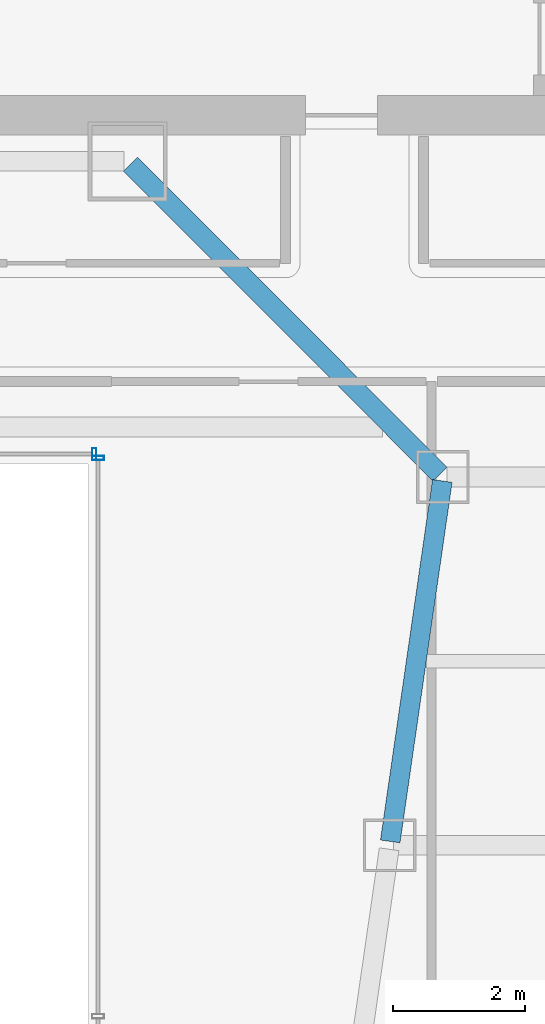
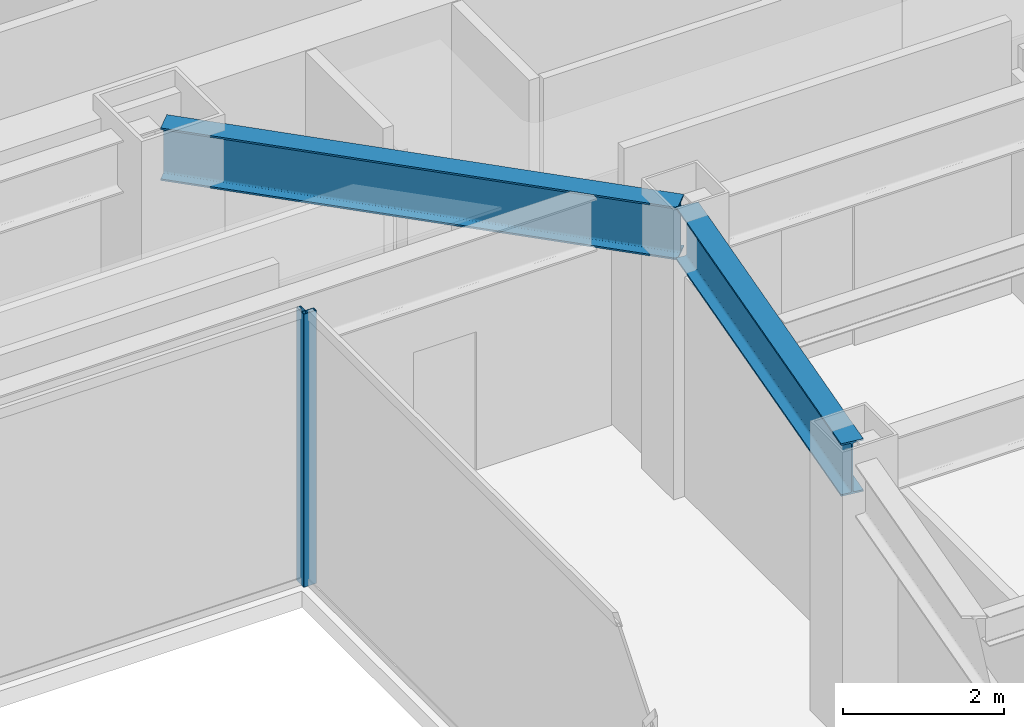
# One storey, part 29 of 49: 2 beams, 2 members, 2 elements without a shape of their own.
"""IFC4 building model written with IfcOpenShell, lengths in metres."""

import ifcopenshell
import ifcopenshell.guid

model = None  # the IFC model being written
_history = None  # IfcOwnerHistory: only IFC2X3 demands one
_inside = {}  # id of a spatial element -> (the spatial element, [elements in it])
_under = {}  # id of a project, library or spatial element -> (it, [spatial elements below it])
_declared = {}  # id of a project -> (the project, [libraries it declares])
_typed = {}  # id of a type object -> (the type object, [elements of that type])
_made_of = {}  # id of a material, layer set ... -> (it, [elements and type objects made of it])


def new_model(schema):
    """Start an empty IFC model of exactly this schema.

    Asked for "IFC4X3", IfcOpenShell would pick the latest addendum, in which some entities
    have other attributes; the version numbers below select the first issue.
    IFC2X3 requires an IfcOwnerHistory on every rooted entity: one is made here for all.
    """
    global model, _history
    if schema == "IFC4X3":
        model = ifcopenshell.file(schema_version=(4, 3, 0, 0))
    else:
        model = ifcopenshell.file(schema=schema)
    _inside.clear()
    _under.clear()
    _declared.clear()
    _typed.clear()
    _made_of.clear()
    _history = None
    if model.schema == "IFC2X3":
        org = make("IfcOrganization", Name="unknown")
        user = make(
            "IfcPersonAndOrganization",
            ThePerson=make("IfcPerson", FamilyName="unknown"),
            TheOrganization=org,
        )
        app = make(
            "IfcApplication",
            ApplicationDeveloper=org,
            Version="unknown",
            ApplicationFullName="unknown",
            ApplicationIdentifier="unknown",
        )
        _history = make(
            "IfcOwnerHistory",
            OwningUser=user,
            OwningApplication=app,
            ChangeAction="ADDED",
            CreationDate=0,
        )
    return model


def make(cls, **values):
    """One entity of the class cls with the attributes given. An attribute that is None is left unset."""
    return model.create_entity(
        cls, **{name: value for name, value in values.items() if value is not None}
    )


def rooted(cls, **values):
    """An entity with a GlobalId (a new one), such as an element, a storey or a relation."""
    return make(cls, GlobalId=ifcopenshell.guid.new(), OwnerHistory=_history, **values)


def si_unit(unit_type, name, prefix=None):
    """IfcSIUnit, for example si_unit("LENGTHUNIT", "METRE", prefix="MILLI")."""
    return make("IfcSIUnit", UnitType=unit_type, Prefix=prefix, Name=name)


def assignment(units):
    """IfcUnitAssignment: the units of a project."""
    return None if units is None else make("IfcUnitAssignment", Units=units)


def point(xyz):
    """IfcCartesianPoint."""
    return None if xyz is None else make("IfcCartesianPoint", Coordinates=xyz)


def direction(xyz):
    """IfcDirection."""
    return None if xyz is None else make("IfcDirection", DirectionRatios=xyz)


def frame(location, z_axis=None, x_axis=None):
    """IfcAxis2Placement3D, a coordinate frame: its origin and axes. An axis left out is left unset."""
    return make(
        "IfcAxis2Placement3D",
        Location=point(location),
        Axis=direction(z_axis),
        RefDirection=direction(x_axis),
    )


def frame_2d(location, x_axis=None):
    """IfcAxis2Placement2D, a coordinate frame in the plane: its origin and x axis."""
    return make(
        "IfcAxis2Placement2D", Location=point(location), RefDirection=direction(x_axis)
    )


def origin():
    """The frame at (0, 0, 0) with its axes left unset."""
    return frame((0.0, 0.0, 0.0))


def origin_2d():
    """The frame at (0, 0) in the plane with its x axis left unset."""
    return frame_2d((0.0, 0.0))


def place(relative_to, where):
    """IfcLocalPlacement: puts the frame where relative to a parent placement (None: the world)."""
    return make(
        "IfcLocalPlacement", PlacementRelTo=relative_to, RelativePlacement=where
    )


def context(
    kind, dimensions, precision=None, world=None, true_north=None, identifier=None
):
    """IfcGeometricRepresentationContext, for example the 3D "Model" context."""
    return make(
        "IfcGeometricRepresentationContext",
        ContextIdentifier=identifier,
        ContextType=kind,
        CoordinateSpaceDimension=dimensions,
        Precision=precision,
        WorldCoordinateSystem=world,
        TrueNorth=true_north,
    )


def subcontext(parent, identifier, kind, view, scale=None):
    """IfcGeometricRepresentationSubContext, for example "Body" below "Model"."""
    return make(
        "IfcGeometricRepresentationSubContext",
        ContextIdentifier=identifier,
        ContextType=kind,
        ParentContext=parent,
        TargetScale=scale,
        TargetView=view,
    )


def project(units=None, contexts=None):
    """IfcProject with its units and contexts."""
    return rooted(
        "IfcProject",
        Name="project",
        RepresentationContexts=contexts,
        UnitsInContext=assignment(units),
    )


def spatial(cls, under=None, at=None, **own):
    """A site, building, storey or space (cls), placed at a placement, below another one or the project."""
    s = rooted(cls, ObjectPlacement=at, **own)
    if under is not None:
        _under.setdefault(under.id(), (under, []))[1].append(s)
    return s


def profile(cls, at=None, kind="AREA", **sizes):
    """A parametric profile (cls). Its sizes go by their IFC names, for example OverallWidth=200.0."""
    return make(cls, ProfileType=kind, Position=at, **sizes)


def hollow_rectangle(**sizes):
    """IfcRectangleHollowProfileDef."""
    return profile("IfcRectangleHollowProfileDef", **sizes)


def i_section(**sizes):
    """IfcIShapeProfileDef."""
    return profile("IfcIShapeProfileDef", **sizes)


def extrude(swept, where, along, depth):
    """IfcExtrudedAreaSolid: the profile swept, set in the frame where, extruded along a direction by depth."""
    return make(
        "IfcExtrudedAreaSolid",
        SweptArea=swept,
        Position=where,
        ExtrudedDirection=direction(along),
        Depth=depth,
    )


def shape(context_of_items, identifier, shape_type, items):
    """IfcShapeRepresentation: the items that make up one representation, for example the "Body"."""
    return make(
        "IfcShapeRepresentation",
        ContextOfItems=context_of_items,
        RepresentationIdentifier=identifier,
        RepresentationType=shape_type,
        Items=items,
    )


def material(Name=None, Category=None):
    """IfcMaterial."""
    return make("IfcMaterial", Name=Name, Category=Category)


def material_profile(
    of_material, cross_section, Name=None, Category=None, Priority=None
):
    """IfcMaterialProfile: a cross section and its material."""
    return make(
        "IfcMaterialProfile",
        Name=Name,
        Material=of_material,
        Profile=cross_section,
        Priority=Priority,
        Category=Category,
    )


def profile_set(profiles, Name=None, composite=None):
    """IfcMaterialProfileSet."""
    return make(
        "IfcMaterialProfileSet",
        Name=Name,
        MaterialProfiles=profiles,
        CompositeProfile=composite,
    )


def made_of(thing, what):
    """Note that an element or type object is made of a material, layer set ...; save() writes the relation."""
    if what is not None:
        _made_of.setdefault(what.id(), (what, []))[1].append(thing)
    return thing


def type_object(cls, material=None, **own):
    """A type object (cls), such as IfcWallType, which elements share."""
    return made_of(rooted(cls, **own), material)


def element(
    cls,
    number,
    at=None,
    inside=None,
    cuts=None,
    type_object=None,
    material=None,
    context=None,
    identifier="Body",
    shape_type=None,
    held_by="IfcProductDefinitionShape",
    body=None,
    shapes=None,
    **own,
):
    """One element of the class cls, such as IfcWall. Its Tag is "e" and its number.

    at: its placement. inside: the storey or other place that contains it. cuts: it is an
    opening in that element (IfcRelVoidsElement). A single representation is given by context,
    identifier, shape_type and body (its items); several are given by shapes. held_by: the class
    of the entity that holds the representations. save() writes the other relations.
    """
    e = rooted(cls, Tag="e%d" % number, ObjectPlacement=at, **own)
    if body is not None:
        shapes = [shape(context, identifier, shape_type, body)]
    if shapes is not None:
        e.Representation = make(held_by, Representations=shapes)
    if inside is not None:
        _inside.setdefault(inside.id(), (inside, []))[1].append(e)
    if cuts is not None:
        rooted(
            "IfcRelVoidsElement", RelatingBuildingElement=cuts, RelatedOpeningElement=e
        )
    if type_object is not None:
        _typed.setdefault(type_object.id(), (type_object, []))[1].append(e)
    return made_of(e, material)


def aggregate(whole, parts):
    """IfcRelAggregates: a whole, such as a stair, and the parts it consists of."""
    return rooted("IfcRelAggregates", RelatingObject=whole, RelatedObjects=parts)


def save(model, path):
    """Write the relations noted so far, then the file.

    IfcRelAggregates (storeys below a building ...), IfcRelContainedInSpatialStructure (elements
    in a storey), IfcRelDefinesByType, IfcRelAssociatesMaterial and IfcRelDeclares: one each for
    every whole, place, type object, material and project.
    """
    for whole, parts in _under.values():
        aggregate(whole, parts)
    for where, things in _inside.values():
        rooted(
            "IfcRelContainedInSpatialStructure",
            RelatedElements=things,
            RelatingStructure=where,
        )
    for kind, things in _typed.values():
        rooted("IfcRelDefinesByType", RelatedObjects=things, RelatingType=kind)
    for what, things in _made_of.values():
        rooted("IfcRelAssociatesMaterial", RelatedObjects=things, RelatingMaterial=what)
    for by, libraries in _declared.values():
        rooted("IfcRelDeclares", RelatingContext=by, RelatedDefinitions=libraries)
    model.write(path)


model = new_model("IFC4")

# Units and contexts
model_context = context("Model", 3, precision=1e-05, world=origin(), true_north=direction((0.0, 1.0)))
body_context = subcontext(model_context, "Body", "Model", "MODEL_VIEW")
ifc_project = project(units=[si_unit("LENGTHUNIT", "METRE"), si_unit("AREAUNIT", "SQUARE_METRE"), si_unit("VOLUMEUNIT", "CUBIC_METRE"), si_unit("PLANEANGLEUNIT", "RADIAN"), si_unit("MASSUNIT", "GRAM", prefix="KILO")], contexts=[model_context])

# Site, building, storey
site_placement = place(None, origin())
site = spatial("IfcSite", under=ifc_project, at=site_placement, CompositionType="ELEMENT")
building_placement = place(site_placement, origin())
building = spatial("IfcBuilding", under=site, at=building_placement, Name="Saevonmaru Cultural Tower", CompositionType="ELEMENT")
storey_placement = place(building_placement, frame((0.0, 0.0, 73.60009765625)))
storey = spatial("IfcBuildingStorey", under=building, at=storey_placement, Name="L15", CompositionType="ELEMENT", Elevation=73.60009765625)

# Beams
ifc_material_1 = material(Name="Steel SM420", Category="steel")
ifc_material_profile_1 = material_profile(ifc_material_1, i_section(OverallWidth=0.300048828125, OverallDepth=0.800048828125, WebThickness=0.013916015625, FlangeThickness=0.02587890625, FilletRadius=0.028076171875, at=origin_2d()), Name="H-800x300x14x26")
ifc_profile_set_1 = profile_set([ifc_material_profile_1], Name="Steel SM420")
beam_type = type_object("IfcBeamType", Name="BM-G-H800", PredefinedType="BEAM", material=ifc_profile_set_1)
beam_1_placement = place(storey_placement, frame((40.3916015625, 32.059326171875, 3.75), z_axis=(0.142964121327, 0.989727871697, 0.0), x_axis=(-0.989727871697, 0.142964121327, 0.0)))
element("IfcBeam", 1, at=beam_1_placement, inside=storey, type_object=beam_type, Name="L15 East Atrium Girder 5", PredefinedType="BEAM", context=body_context, shape_type="SweptSolid", body=[
    extrude(i_section(OverallWidth=0.300048828125, OverallDepth=0.800048828125, WebThickness=0.013916015625, FlangeThickness=0.02587890625, FilletRadius=0.028076171875, at=origin_2d()), origin(), (0.0, 0.0, 1.0), 5.5380859375),
])
beam_2_placement = place(storey_placement, frame((41.149658203125, 37.642578125, 3.75), z_axis=(-0.706538566564, 0.707674539572, 0.0), x_axis=(-0.707674539572, -0.706538566564, 0.0)))
element("IfcBeam", 2, at=beam_2_placement, inside=storey, type_object=beam_type, Name="L15 East Atrium Girder 6", PredefinedType="BEAM", context=body_context, shape_type="SweptSolid", body=[
    extrude(i_section(OverallWidth=0.300048828125, OverallDepth=0.800048828125, WebThickness=0.013916015625, FlangeThickness=0.02587890625, FilletRadius=0.028076171875, at=origin_2d()), origin(), (0.0, 0.0, 1.0), 6.662353515625),
])

# Curtain wall, member
ifc_material_2 = material(Name="Satin Bronze Anodised Aluminium", Category="aluminium")
curtain_wall_type = type_object("IfcCurtainWallType", Name="CW-ATR-GLZ", PredefinedType="NOTDEFINED", material=ifc_material_2)
curtain_wall_1_placement = place(storey_placement, origin())
curtain_wall_1 = element("IfcCurtainWall", 3, at=curtain_wall_1_placement, inside=storey, type_object=curtain_wall_type, Name="L15 Vertical Atrium Glazed Smoke Screen 2", PredefinedType="NOTDEFINED")
ifc_material_profile_2 = material_profile(ifc_material_2, hollow_rectangle(XDim=0.06494140625, YDim=0.179931640625, WallThickness=0.00390625, at=origin_2d()), Name="ALU-MULL-180x65x4")
ifc_profile_set_2 = profile_set([ifc_material_profile_2], Name="Satin Bronze Anodised Aluminium")
member_type = type_object("IfcMemberType", Name="ML-CW-INT-180x65", PredefinedType="MULLION", material=ifc_profile_set_2)
member_1_placement = place(storey_placement, frame((35.949951171875, 37.889892578125, 0.0), z_axis=(0.0, 0.0, 1.0), x_axis=(0.0, 1.0, 0.0)))
member_1 = element("IfcMember", 4, at=member_1_placement, type_object=member_type, Name="CW-ATR-L15-2 mullion 3", PredefinedType="MULLION", context=body_context, shape_type="SweptSolid", body=[
    extrude(hollow_rectangle(XDim=0.06494140625, YDim=0.179931640625, WallThickness=0.00390625, at=origin_2d()), origin(), (0.0, 0.0, 1.0), 4.14990234375),
])
aggregate(curtain_wall_1, [member_1])

curtain_wall_2_placement = place(storey_placement, origin())
curtain_wall_2 = element("IfcCurtainWall", 5, at=curtain_wall_2_placement, inside=storey, type_object=curtain_wall_type, Name="L15 Vertical Atrium Glazed Smoke Screen 3", PredefinedType="NOTDEFINED")
member_2_placement = place(storey_placement, frame((35.889892578125, 37.949951171875, 0.0), z_axis=(0.0, 0.0, 1.0), x_axis=(-1.0, 0.0, 0.0)))
member_2 = element("IfcMember", 6, at=member_2_placement, type_object=member_type, Name="CW-ATR-L15-3 mullion 1", PredefinedType="MULLION", context=body_context, shape_type="SweptSolid", body=[
    extrude(hollow_rectangle(XDim=0.06494140625, YDim=0.179931640625, WallThickness=0.00390625, at=origin_2d()), origin(), (0.0, 0.0, 1.0), 4.14990234375),
])
aggregate(curtain_wall_2, [member_2])

save(model, "model.ifc")
